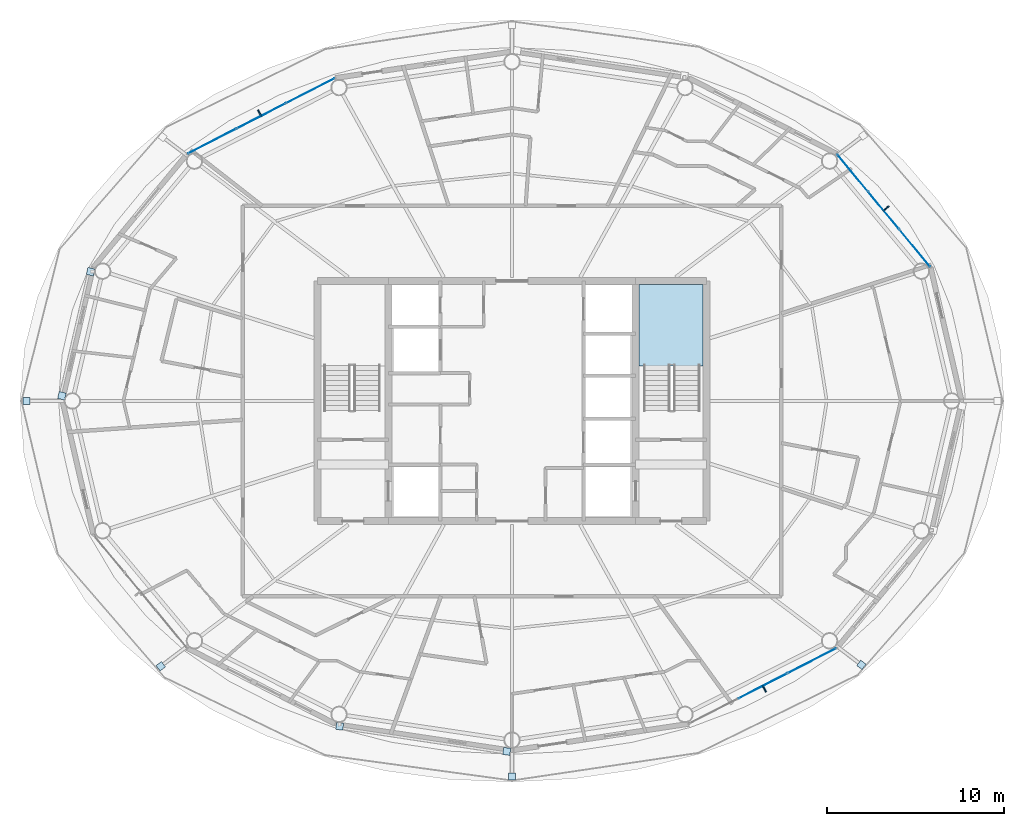
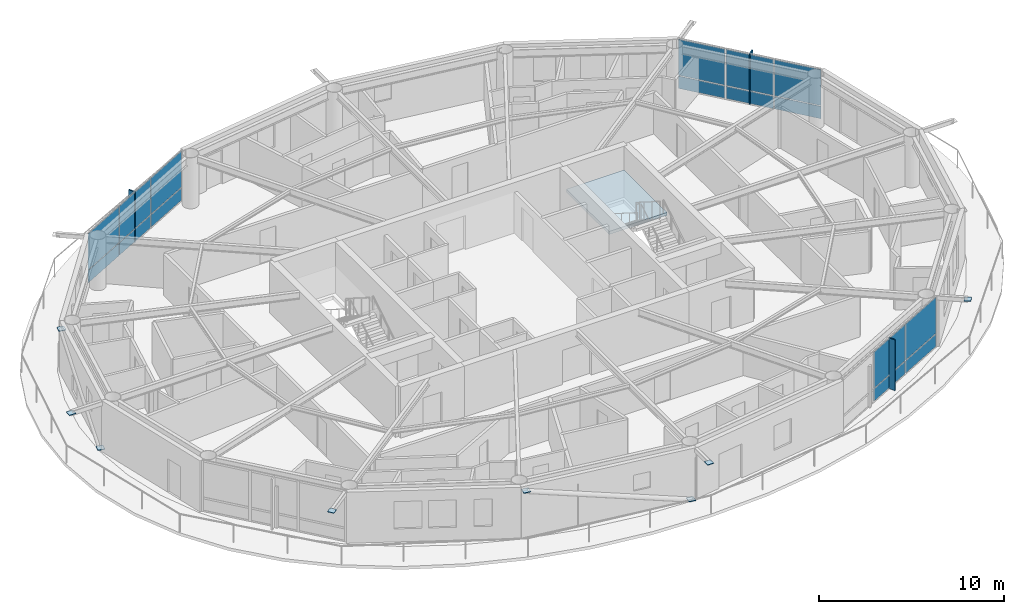
# One storey, part 14 of 23: 27 plates, 1 slab, 4 elements without a shape of their own.
"""IFC4 building model written with IfcOpenShell, lengths in metres."""

from ifc_helpers import new_model, si_unit, direction, frame, origin, origin_2d, place, context, subcontext, project, spatial, polyline, rectangle, outline, extrude, material, layer, layer_set, type_object, element, aggregate, save


model = new_model("IFC4")

# Units and contexts
model_context = context("Model", 3, precision=1e-05, world=origin(), true_north=direction((0.0, 1.0)))
body_context = subcontext(model_context, "Body", "Model", "MODEL_VIEW")
ifc_project = project(units=[si_unit("LENGTHUNIT", "METRE"), si_unit("AREAUNIT", "SQUARE_METRE"), si_unit("VOLUMEUNIT", "CUBIC_METRE"), si_unit("PLANEANGLEUNIT", "RADIAN"), si_unit("MASSUNIT", "GRAM", prefix="KILO")], contexts=[model_context])

# Site, building, storey
site_placement = place(None, origin())
site = spatial("IfcSite", under=ifc_project, at=site_placement, CompositionType="ELEMENT")
building_placement = place(site_placement, origin())
building = spatial("IfcBuilding", under=site, at=building_placement, Name="Sarneth Arch Tower", CompositionType="ELEMENT")
storey_placement = place(building_placement, frame((0.0, 0.0, 224.39990234375)))
storey = spatial("IfcBuildingStorey", under=building, at=storey_placement, Name="L57", CompositionType="ELEMENT", Elevation=224.39990234375)

# Curtain wall, plates
ifc_material_1 = material(Name="Anodised aluminium Type AA25 and solar-control low-e laminated IGU", Category="aluminium")
ifc_layer_1 = layer(ifc_material_1, 0.179931640625)
ifc_layer_set_1 = layer_set([ifc_layer_1], Name="Anodised aluminium Type AA25 and solar-control low-e laminated IGU")
curtain_wall_type = type_object("IfcCurtainWallType", Name="CW-RES-HIGH", PredefinedType="NOTDEFINED", material=ifc_layer_set_1)
curtain_wall_1_placement = place(storey_placement, origin())
curtain_wall_1 = element("IfcCurtainWall", 1, at=curtain_wall_1_placement, inside=storey, type_object=curtain_wall_type, Name="L57 Unitised curtain wall facet 02", PredefinedType="NOTDEFINED")
ifc_material_2 = material(Name="Solar-control low-e laminated IGU", Category="glass")
ifc_layer_2 = layer(ifc_material_2, 0.028076171875)
ifc_layer_set_2 = layer_set([ifc_layer_2], Name="Solar-control low-e laminated IGU")
plate_type_1 = type_object("IfcPlateType", Name="CW-PANEL", PredefinedType="CURTAIN_PANEL", material=ifc_layer_set_2)
plate_1_placement = place(storey_placement, frame((70.799072265625, 50.650634765625, 0.06005859375), z_axis=(0.0, 0.0, 1.0), x_axis=(-0.637610094184, 0.770359245933, 0.0)))
plate_1 = element("IfcPlate", 2, at=plate_1_placement, type_object=plate_type_1, Name="Curtain wall glazed vision pane CW-L57-F02/P00-00", PredefinedType="CURTAIN_PANEL", context=body_context, shape_type="SweptSolid", body=[
    extrude(rectangle(XDim=2.686767578125, YDim=0.028076171875, at=origin_2d()), origin(), (0.0, 0.0, 1.0), 0.81005859375),
])
plate_2_placement = place(storey_placement, frame((70.799072265625, 50.650634765625, 0.929931640625), z_axis=(0.0, 0.0, 1.0), x_axis=(-0.637610094184, 0.770359245933, 0.0)))
plate_2 = element("IfcPlate", 3, at=plate_2_placement, type_object=plate_type_1, Name="Curtain wall glazed vision pane CW-L57-F02/P00-01", PredefinedType="CURTAIN_PANEL", context=body_context, shape_type="SweptSolid", body=[
    extrude(rectangle(XDim=2.686767578125, YDim=0.028076171875, at=origin_2d()), origin(), (0.0, 0.0, 1.0), 2.3701171875),
])
plate_3_placement = place(storey_placement, frame((69.0380859375, 52.778076171875, 0.06005859375), z_axis=(0.0, 0.0, 1.0), x_axis=(-0.637610094184, 0.770359245933, 0.0)))
plate_3 = element("IfcPlate", 4, at=plate_3_placement, type_object=plate_type_1, Name="Curtain wall glazed vision pane CW-L57-F02/P01-00", PredefinedType="CURTAIN_PANEL", context=body_context, shape_type="SweptSolid", body=[
    extrude(rectangle(XDim=2.716552734375, YDim=0.028076171875, at=origin_2d()), origin(), (0.0, 0.0, 1.0), 0.81005859375),
])
plate_4_placement = place(storey_placement, frame((69.0380859375, 52.778076171875, 0.929931640625), z_axis=(0.0, 0.0, 1.0), x_axis=(-0.637610094184, 0.770359245933, 0.0)))
plate_4 = element("IfcPlate", 5, at=plate_4_placement, type_object=plate_type_1, Name="Curtain wall glazed vision pane CW-L57-F02/P01-01", PredefinedType="CURTAIN_PANEL", context=body_context, shape_type="SweptSolid", body=[
    extrude(rectangle(XDim=2.716552734375, YDim=0.028076171875, at=origin_2d()), origin(), (0.0, 0.0, 1.0), 2.3701171875),
])
plate_5_placement = place(storey_placement, frame((67.27734375, 54.905517578125, 0.06005859375), z_axis=(0.0, 0.0, 1.0), x_axis=(-0.637610094184, 0.770359245933, 0.0)))
plate_5 = element("IfcPlate", 6, at=plate_5_placement, type_object=plate_type_1, Name="Curtain wall glazed vision pane CW-L57-F02/P02-00", PredefinedType="CURTAIN_PANEL", context=body_context, shape_type="SweptSolid", body=[
    extrude(rectangle(XDim=2.686767578125, YDim=0.028076171875, at=origin_2d()), origin(), (0.0, 0.0, 1.0), 0.81005859375),
])
plate_6_placement = place(storey_placement, frame((67.27734375, 54.905517578125, 0.929931640625), z_axis=(0.0, 0.0, 1.0), x_axis=(-0.637610094184, 0.770359245933, 0.0)))
plate_6 = element("IfcPlate", 7, at=plate_6_placement, type_object=plate_type_1, Name="Curtain wall glazed vision pane CW-L57-F02/P02-01", PredefinedType="CURTAIN_PANEL", context=body_context, shape_type="SweptSolid", body=[
    extrude(rectangle(XDim=2.686767578125, YDim=0.028076171875, at=origin_2d()), origin(), (0.0, 0.0, 1.0), 2.3701171875),
])
aggregate(curtain_wall_1, [plate_1, plate_2, plate_3, plate_4, plate_5, plate_6])

curtain_wall_2_placement = place(storey_placement, origin())
curtain_wall_2 = element("IfcCurtainWall", 8, at=curtain_wall_2_placement, inside=storey, type_object=curtain_wall_type, Name="L57 Unitised curtain wall facet 06", PredefinedType="NOTDEFINED")
plate_7_placement = place(storey_placement, frame((36.5791015625, 59.552978515625, 0.06005859375), z_axis=(0.0, 0.0, 1.0), x_axis=(-0.890009540525, -0.455941901753, 0.0)))
plate_7 = element("IfcPlate", 9, at=plate_7_placement, type_object=plate_type_1, Name="Curtain wall glazed vision pane CW-L57-F06/P00-00", PredefinedType="CURTAIN_PANEL", context=body_context, shape_type="SweptSolid", body=[
    extrude(rectangle(XDim=3.044677734375, YDim=0.028076171875, at=origin_2d()), origin(), (0.0, 0.0, 1.0), 0.81005859375),
])
plate_8_placement = place(storey_placement, frame((36.5791015625, 59.552978515625, 0.929931640625), z_axis=(0.0, 0.0, 1.0), x_axis=(-0.890009540525, -0.455941901753, 0.0)))
plate_8 = element("IfcPlate", 10, at=plate_8_placement, type_object=plate_type_1, Name="Curtain wall glazed vision pane CW-L57-F06/P00-01", PredefinedType="CURTAIN_PANEL", context=body_context, shape_type="SweptSolid", body=[
    extrude(rectangle(XDim=3.044677734375, YDim=0.028076171875, at=origin_2d()), origin(), (0.0, 0.0, 1.0), 2.3701171875),
])
plate_9_placement = place(storey_placement, frame((33.802490234375, 58.13037109375, 0.06005859375), z_axis=(0.0, 0.0, 1.0), x_axis=(-0.890009540525, -0.455941901753, 0.0)))
plate_9 = element("IfcPlate", 11, at=plate_9_placement, type_object=plate_type_1, Name="Curtain wall glazed vision pane CW-L57-F06/P01-00", PredefinedType="CURTAIN_PANEL", context=body_context, shape_type="SweptSolid", body=[
    extrude(rectangle(XDim=3.07470703125, YDim=0.028076171875, at=origin_2d()), origin(), (0.0, 0.0, 1.0), 0.81005859375),
])
plate_10_placement = place(storey_placement, frame((33.802490234375, 58.13037109375, 0.929931640625), z_axis=(0.0, 0.0, 1.0), x_axis=(-0.890009540525, -0.455941901753, 0.0)))
plate_10 = element("IfcPlate", 12, at=plate_10_placement, type_object=plate_type_1, Name="Curtain wall glazed vision pane CW-L57-F06/P01-01", PredefinedType="CURTAIN_PANEL", context=body_context, shape_type="SweptSolid", body=[
    extrude(rectangle(XDim=3.07470703125, YDim=0.028076171875, at=origin_2d()), origin(), (0.0, 0.0, 1.0), 2.3701171875),
])
plate_11_placement = place(storey_placement, frame((31.02587890625, 56.7080078125, 0.06005859375), z_axis=(0.0, 0.0, 1.0), x_axis=(-0.890009540525, -0.455941901753, 0.0)))
plate_11 = element("IfcPlate", 13, at=plate_11_placement, type_object=plate_type_1, Name="Curtain wall glazed vision pane CW-L57-F06/P02-00", PredefinedType="CURTAIN_PANEL", context=body_context, shape_type="SweptSolid", body=[
    extrude(rectangle(XDim=3.044677734375, YDim=0.028076171875, at=origin_2d()), origin(), (0.0, 0.0, 1.0), 0.81005859375),
])
plate_12_placement = place(storey_placement, frame((31.02587890625, 56.7080078125, 0.929931640625), z_axis=(0.0, 0.0, 1.0), x_axis=(-0.890009540525, -0.455941901753, 0.0)))
plate_12 = element("IfcPlate", 14, at=plate_12_placement, type_object=plate_type_1, Name="Curtain wall glazed vision pane CW-L57-F06/P02-01", PredefinedType="CURTAIN_PANEL", context=body_context, shape_type="SweptSolid", body=[
    extrude(rectangle(XDim=3.044677734375, YDim=0.028076171875, at=origin_2d()), origin(), (0.0, 0.0, 1.0), 2.3701171875),
])
aggregate(curtain_wall_2, [plate_7, plate_8, plate_9, plate_10, plate_11, plate_12])

curtain_wall_3_placement = place(storey_placement, origin())
curtain_wall_3 = element("IfcCurtainWall", 15, at=curtain_wall_3_placement, inside=storey, type_object=curtain_wall_type, Name="L57 Unitised curtain wall facet 14", PredefinedType="NOTDEFINED")
plate_13_placement = place(storey_placement, frame((62.197509765625, 25.86962890625, 0.06005859375), z_axis=(0.0, 0.0, 1.0), x_axis=(0.890009540525, 0.455941901753, 0.0)))
plate_13 = element("IfcPlate", 16, at=plate_13_placement, type_object=plate_type_1, Name="Curtain wall glazed vision pane CW-L57-F14/P01-00", PredefinedType="CURTAIN_PANEL", context=body_context, shape_type="SweptSolid", body=[
    extrude(rectangle(XDim=3.07470703125, YDim=0.028076171875, at=origin_2d()), origin(), (0.0, 0.0, 1.0), 0.81005859375),
])
plate_14_placement = place(storey_placement, frame((62.197509765625, 25.86962890625, 0.929931640625), z_axis=(0.0, 0.0, 1.0), x_axis=(0.890009540525, 0.455941901753, 0.0)))
plate_14 = element("IfcPlate", 17, at=plate_14_placement, type_object=plate_type_1, Name="Curtain wall glazed vision pane CW-L57-F14/P01-01", PredefinedType="CURTAIN_PANEL", context=body_context, shape_type="SweptSolid", body=[
    extrude(rectangle(XDim=3.07470703125, YDim=0.028076171875, at=origin_2d()), origin(), (0.0, 0.0, 1.0), 2.3701171875),
])
plate_15_placement = place(storey_placement, frame((64.97412109375, 27.2919921875, 0.06005859375), z_axis=(0.0, 0.0, 1.0), x_axis=(0.890009540525, 0.455941901753, 0.0)))
plate_15 = element("IfcPlate", 18, at=plate_15_placement, type_object=plate_type_1, Name="Curtain wall glazed vision pane CW-L57-F14/P02-00", PredefinedType="CURTAIN_PANEL", context=body_context, shape_type="SweptSolid", body=[
    extrude(rectangle(XDim=3.044677734375, YDim=0.028076171875, at=origin_2d()), origin(), (0.0, 0.0, 1.0), 0.81005859375),
])
plate_16_placement = place(storey_placement, frame((64.97412109375, 27.2919921875, 0.929931640625), z_axis=(0.0, 0.0, 1.0), x_axis=(0.890009540525, 0.455941901753, 0.0)))
plate_16 = element("IfcPlate", 19, at=plate_16_placement, type_object=plate_type_1, Name="Curtain wall glazed vision pane CW-L57-F14/P02-01", PredefinedType="CURTAIN_PANEL", context=body_context, shape_type="SweptSolid", body=[
    extrude(rectangle(XDim=3.044677734375, YDim=0.028076171875, at=origin_2d()), origin(), (0.0, 0.0, 1.0), 2.3701171875),
])
aggregate(curtain_wall_3, [plate_13, plate_14, plate_15, plate_16])

# Plates
ifc_material_3 = material(Name="Steel S355", Category="steel")
ifc_layer_3 = layer(ifc_material_3, 0.035888671875)
ifc_layer_set_3 = layer_set([ifc_layer_3], Name="Steel S355")
plate_type_2 = type_object("IfcPlateType", Name="PLT-GUSSET-30", PredefinedType="SHEET", material=ifc_layer_set_3)
for number, where, z_axis, x_axis, name in (
    (20, (22.5234375, 42.292236328125, 0.001953125), (0.0, 0.0, 1.0), (-0.225461202458, -0.974252147129, 0.0), "Steel end cap plate GP-1"),
    (21, (24.148193359375, 49.3154296875, 3.0185546875), (0.0, 0.0, 1.0), (-0.225461202458, -0.974252147129, 0.0), "Steel end cap plate GP-1"),
):
    element("IfcPlate", number, at=place(storey_placement, frame(where, z_axis=z_axis, x_axis=x_axis)), inside=storey, type_object=plate_type_2, Name=name, PredefinedType="SHEET", context=body_context, shape_type="SweptSolid", body=[
        extrude(rectangle(XDim=0.404052734375, YDim=0.404052734375, at=origin_2d()), origin(), (0.0, 0.0, 1.0), 0.035888671875),
    ])
for number, where, z_axis, x_axis, name in (
    (22, (20.52490234375, 42.0, 3.18212890625), (0.0, 0.0, 1.0), (-1.0, 0.0, 0.0), "Steel end cap plate GP-1"),
    (23, (28.116455078125, 26.982177734375, 3.18212890625), (0.0, 0.0, 1.0), (-0.798004853043, -0.602651022168, 0.0), "Steel end cap plate GP-1"),
):
    element("IfcPlate", number, at=place(storey_placement, frame(where, z_axis=z_axis, x_axis=x_axis)), inside=storey, type_object=plate_type_2, Name=name, PredefinedType="SHEET", context=body_context, shape_type="SweptSolid", body=[
        extrude(rectangle(XDim=0.3798828125, YDim=0.3798828125, at=origin_2d()), origin(), (0.0, 0.0, 1.0), 0.035888671875),
    ])
for number, where, z_axis, x_axis, name in (
    (24, (47.703369140625, 22.16455078125, 0.001953125), (0.0, 0.0, 1.0), (0.988860535448, -0.148845024885, 0.0), "Steel end cap plate GP-1"),
    (25, (38.245849609375, 23.588623046875, 3.0185546875), (0.0, 0.0, 1.0), (0.988860535448, -0.148845024885, 0.0), "Steel end cap plate GP-1"),
):
    element("IfcPlate", number, at=place(storey_placement, frame(where, z_axis=z_axis, x_axis=x_axis)), inside=storey, type_object=plate_type_2, Name=name, PredefinedType="SHEET", context=body_context, shape_type="SweptSolid", body=[
        extrude(rectangle(XDim=0.404052734375, YDim=0.404052734375, at=origin_2d()), origin(), (0.0, 0.0, 1.0), 0.035888671875),
    ])
for number, where, z_axis, x_axis, name in (
    (26, (48.0, 20.741943359375, 3.18212890625), (0.0, 0.0, 1.0), (0.0, -1.0, 0.0), "Steel end cap plate GP-1"),
    (27, (67.77734375, 27.0625, 3.18212890625), (0.0, 0.0, 1.0), (0.798004853043, -0.602651022168, 0.0), "Steel end cap plate GP-1"),
):
    element("IfcPlate", number, at=place(storey_placement, frame(where, z_axis=z_axis, x_axis=x_axis)), inside=storey, type_object=plate_type_2, Name=name, PredefinedType="SHEET", context=body_context, shape_type="SweptSolid", body=[
        extrude(rectangle(XDim=0.3798828125, YDim=0.3798828125, at=origin_2d()), origin(), (0.0, 0.0, 1.0), 0.035888671875),
    ])
ifc_material_4 = material(Name="Extruded glazed terracotta baguette fin on Aluminium 6063-T6 carrier", Category="masonry")
ifc_layer_4 = layer(ifc_material_4, 0.080078125)
ifc_layer_set_4 = layer_set([ifc_layer_4], Name="Extruded glazed terracotta baguette fin on Aluminium 6063-T6 carrier")
plate_type_3 = type_object("IfcPlateType", Name="SHADE-TERRA-FIN", PredefinedType="SHEET", material=ifc_layer_set_4)
for number, where, z_axis, x_axis, name in (
    (28, (69.169189453125, 52.886474609375, 0.01025390625), (0.0, 0.0, 1.0), (0.770401979567, 0.63755845997, 0.0), "L57 Terracotta vertical shading fin 02"),
    (29, (33.724853515625, 58.28173828125, 0.01025390625), (0.0, 0.0, 1.0), (-0.456010959102, 0.889974159838, 0.0), "L57 Terracotta vertical shading fin 06"),
    (30, (62.275146484375, 25.71826171875, 0.01025390625), (0.0, 0.0, 1.0), (0.456010959102, -0.889974159838, 0.0), "L57 Terracotta vertical shading fin 14"),
):
    element("IfcPlate", number, at=place(storey_placement, frame(where, z_axis=z_axis, x_axis=x_axis)), inside=storey, type_object=plate_type_3, Name=name, PredefinedType="SHEET", context=body_context, shape_type="SweptSolid", body=[
        extrude(rectangle(XDim=0.419921875, YDim=0.080078125, at=origin_2d()), origin(), (0.0, 0.0, 1.0), 3.340087890625),
    ])

# Stair, slab
ifc_material_5 = material(Name="Concrete C50/60", Category="concrete")
stair_type = type_object("IfcStairType", Name="STAIR-CORE-RC", PredefinedType="HALF_TURN_STAIR", material=ifc_material_5)
stair_placement = place(storey_placement, origin())
stair = element("IfcStair", 31, at=stair_placement, inside=storey, type_object=stair_type, Name="L57 Core Exit Stair 2", PredefinedType="HALF_TURN_STAIR")
ifc_material_6 = material(Name="Concrete C50/60", Category="concrete")
ifc_layer_5 = layer(ifc_material_6, 0.199951171875)
ifc_layer_set_5 = layer_set([ifc_layer_5], Name="Concrete C50/60")
slab_type = type_object("IfcSlabType", Name="SLAB-LANDING-200", PredefinedType="LANDING", material=ifc_layer_set_5)
slab_placement = place(storey_placement, frame((0.0, 0.0, 1.60009765625)))
slab = element("IfcSlab", 32, at=slab_placement, type_object=slab_type, Name="ST-2 landing 1", PredefinedType="LANDING", context=body_context, shape_type="SweptSolid", body=[
    extrude(outline(polyline([(55.199951171875, 43.985107421875), (58.800048828125, 43.985107421875), (58.800048828125, 48.60009765625), (55.199951171875, 48.60009765625), (55.199951171875, 43.985107421875)])), origin(), (0.0, 0.0, 1.0), 0.199951171875),
])
aggregate(stair, [slab])

save(model, "model.ifc")
